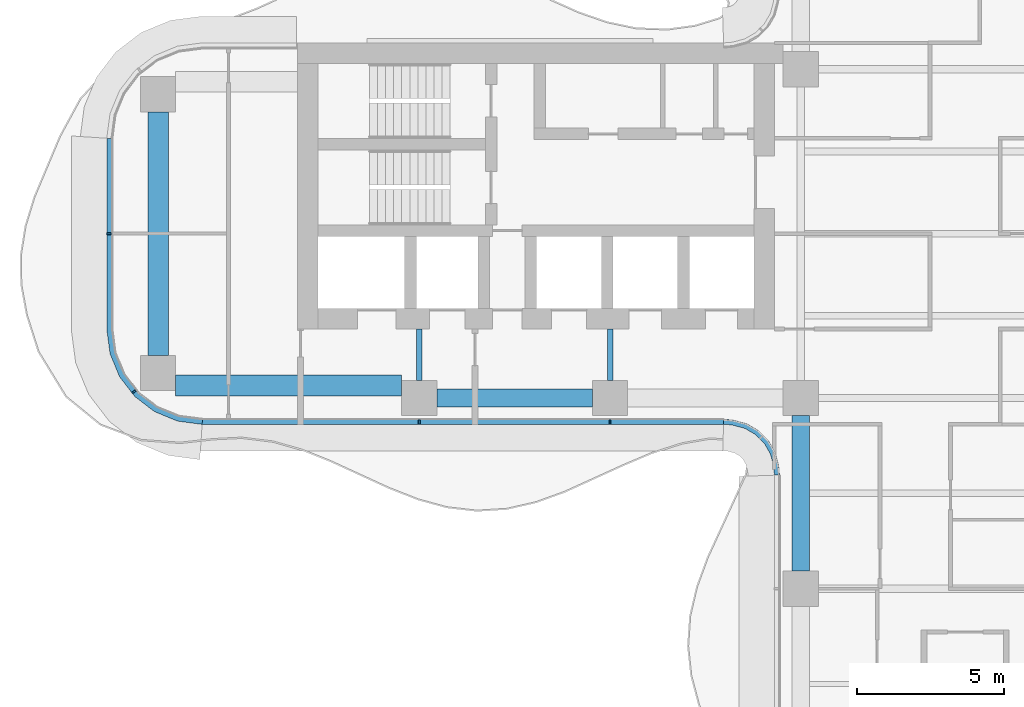
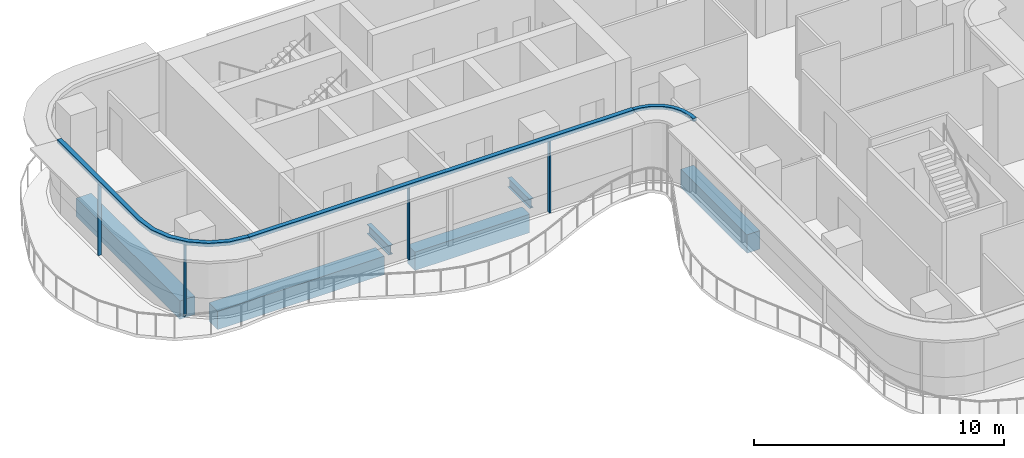
# One storey, part 3 of 18: 7 members, 6 beams, 3 elements without a shape of their own.
"""IFC4 building model written with IfcOpenShell, lengths in metres."""

from ifc_helpers import new_model, si_unit, direction, frame, origin, origin_2d, place, context, subcontext, project, spatial, polyline, rectangle, i_section, outline, extrude, source, transform, mapped, material, layer, layer_set, material_profile, profile_set, type_object, element, aggregate, save


model = new_model("IFC4")

# Units and contexts
model_context = context("Model", 3, precision=1e-05, world=origin(), true_north=direction((0.0, 1.0)))
body_context = subcontext(model_context, "Body", "Model", "MODEL_VIEW")
ifc_project = project(units=[si_unit("LENGTHUNIT", "METRE"), si_unit("AREAUNIT", "SQUARE_METRE"), si_unit("VOLUMEUNIT", "CUBIC_METRE"), si_unit("PLANEANGLEUNIT", "RADIAN"), si_unit("MASSUNIT", "GRAM", prefix="KILO")], contexts=[model_context])

# Site, building, storey
site_placement = place(None, origin())
site = spatial("IfcSite", under=ifc_project, at=site_placement, CompositionType="ELEMENT")
building_placement = place(site_placement, origin())
building = spatial("IfcBuilding", under=site, at=building_placement, Name="Trellis Farm Tower", CompositionType="ELEMENT")
storey_placement = place(building_placement, frame((0.0, 0.0, 189.300048828125)))
storey = spatial("IfcBuildingStorey", under=building, at=storey_placement, Name="L41", CompositionType="ELEMENT", Elevation=189.300048828125)

# Beams
ifc_material_1 = material(Name="Concrete C60/75", Category="concrete")
ifc_material_profile_1 = material_profile(ifc_material_1, rectangle(XDim=0.60009765625, YDim=0.89990234375, at=origin_2d()), Name="RC spandrel beam 600x900 C60/75")
ifc_profile_set_1 = profile_set([ifc_material_profile_1], Name="Concrete C60/75")
beam_type_1 = type_object("IfcBeamType", Name="RC spandrel beam 600x900 C60/75", PredefinedType="SPANDREL", material=ifc_profile_set_1)
shared_shape_1 = source(origin(), body_context, "Body", "SweptSolid", [
    extrude(rectangle(XDim=0.60009765625, YDim=0.89990234375, at=origin_2d()), origin(), (0.0, 0.0, 1.0), 5.300048828125),
])
for number, where, z_axis, x_axis, name in (
    (1, (-18.0, -5.60009765625, -0.650146484375), (1.0, 0.0, 0.0), (0.0, 1.0, 0.0), "Girder"),
    (2, (-5.60009765625, -11.5, -0.650146484375), (0.0, 1.0, 0.0), (-1.0, 0.0, 0.0), "Girder"),
):
    element("IfcBeam", number, at=place(storey_placement, frame(where, z_axis=z_axis, x_axis=x_axis)), inside=storey, type_object=beam_type_1, Name=name, PredefinedType="SPANDREL", context=body_context, shape_type="MappedRepresentation", body=[
        mapped(shared_shape_1, transform((0.0, 0.0, 0.0))),
    ])
ifc_material_profile_2 = material_profile(ifc_material_1, rectangle(XDim=0.699951171875, YDim=0.89990234375, at=origin_2d()), Name="RC spandrel beam 700x900 C60/75")
ifc_profile_set_2 = profile_set([ifc_material_profile_2], Name="Concrete C60/75")
beam_type_2 = type_object("IfcBeamType", Name="RC spandrel beam 700x900 C60/75", PredefinedType="SPANDREL", material=ifc_profile_set_2)
shared_shape_2 = source(origin(), body_context, "Body", "SweptSolid", [
    extrude(rectangle(XDim=0.699951171875, YDim=0.89990234375, at=origin_2d()), origin(), (0.0, 0.0, 1.0), 8.2998046875),
])
beam_1_placement = place(storey_placement, frame((-27.5, -4.14990234375, -0.650146484375), z_axis=(0.0, 1.0, 0.0), x_axis=(-1.0, 0.0, 0.0)))
element("IfcBeam", 3, at=beam_1_placement, inside=storey, type_object=beam_type_2, Name="Girder", PredefinedType="SPANDREL", context=body_context, shape_type="MappedRepresentation", body=[
    mapped(shared_shape_2, transform((0.0, 0.0, 0.0))),
])
ifc_material_2 = material(Name="Steel S355", Category="steel")
ifc_material_profile_3 = material_profile(ifc_material_2, i_section(OverallWidth=0.1904296875, OverallDepth=0.45703125, WebThickness=0.009033203125, FlangeThickness=0.014404296875, FilletRadius=0.01025390625, at=origin_2d()), Name="UB 457x191x74")
ifc_profile_set_3 = profile_set([ifc_material_profile_3], Name="Steel S355")
beam_type_3 = type_object("IfcBeamType", Name="UB 457x191x74", PredefinedType="BEAM", material=ifc_profile_set_3)
shared_shape_3 = source(origin(), body_context, "Body", "SweptSolid", [
    extrude(i_section(OverallWidth=0.1904296875, OverallDepth=0.45703125, WebThickness=0.009033203125, FlangeThickness=0.014404296875, FilletRadius=0.01025390625, at=origin_2d()), origin(), (0.0, 0.0, 1.0), 1.75),
])
for number, where, z_axis, x_axis, name in (
    (4, (-18.60009765625, -5.0, -0.428466796875), (0.0, 1.0, 0.0), (-1.0, 0.0, 0.0), "Girder"),
    (5, (-12.10009765625, -5.0, -0.428466796875), (0.0, 1.0, 0.0), (-1.0, 0.0, 0.0), "Girder"),
):
    element("IfcBeam", number, at=place(storey_placement, frame(where, z_axis=z_axis, x_axis=x_axis)), inside=storey, type_object=beam_type_3, Name=name, PredefinedType="BEAM", context=body_context, shape_type="MappedRepresentation", body=[
        mapped(shared_shape_3, transform((0.0, 0.0, 0.0))),
    ])
shared_shape_4 = source(origin(), body_context, "Body", "SweptSolid", [
    extrude(rectangle(XDim=0.699951171875, YDim=0.89990234375, at=origin_2d()), origin(), (0.0, 0.0, 1.0), 7.699951171875),
])
beam_2_placement = place(storey_placement, frame((-26.89990234375, -5.175048828125, -0.650146484375), z_axis=(1.0, 0.0, 0.0), x_axis=(0.0, 1.0, 0.0)))
element("IfcBeam", 6, at=beam_2_placement, inside=storey, type_object=beam_type_2, Name="Girder", PredefinedType="SPANDREL", context=body_context, shape_type="MappedRepresentation", body=[
    mapped(shared_shape_4, transform((0.0, 0.0, 0.0))),
])

# Curtain wall, member
ifc_material_3 = material(Name="Aluminium and glass curtain wall", Category="aluminium")
ifc_layer_1 = layer(ifc_material_3, 0.166015625)
ifc_layer_set_1 = layer_set([ifc_layer_1], Name="WINTER GARDEN CURTAIN WALL CW3")
curtain_wall_type_1 = type_object("IfcCurtainWallType", Name="WINTER GARDEN CURTAIN WALL CW3", PredefinedType="NOTDEFINED", material=ifc_layer_set_1)
placement_1 = place(storey_placement, origin())
curtain_wall_1 = element("IfcCurtainWall", 7, at=placement_1, inside=storey, type_object=curtain_wall_type_1, Name="CW3 001", PredefinedType="NOTDEFINED")
ifc_material_4 = material(Name="Aluminium extrusion 6063-T6", Category="aluminium")
ifc_layer_2 = layer(ifc_material_4, 0.169921875)
ifc_layer_set_2 = layer_set([ifc_layer_2], Name="Aluminium extrusion 6063-T6")
member_type_1 = type_object("IfcMemberType", Name="CW3 TRANSOM 170x150", PredefinedType="USERDEFINED", material=ifc_layer_set_2)
shared_shape_5 = source(origin(), body_context, "Body", "SweptSolid", [
    extrude(outline(polyline([(-8.2314453125, -6.5), (-8.01953125, -6.513916015625), (-7.91552734375, -6.527587890625), (-7.508544921875, -6.63671875), (-7.144287109375, -6.846923828125), (-6.846923828125, -7.144287109375), (-6.63671875, -7.508544921875), (-6.527587890625, -7.91552734375), (-6.513916015625, -8.01953125), (-6.5, -8.2314453125), (-6.330078125, -8.225830078125), (-6.3447265625, -8.0029296875), (-6.360595703125, -7.88232421875), (-6.478271484375, -7.44287109375), (-6.7109375, -7.0400390625), (-7.0400390625, -6.7109375), (-7.44287109375, -6.478271484375), (-7.88232421875, -6.360595703125), (-8.0029296875, -6.3447265625), (-8.225830078125, -6.330078125), (-8.2314453125, -6.5)])), origin(), (0.0, 0.0, 1.0), 0.14990234375),
])
member_1_placement = place(storey_placement, frame((0.0, 0.0, 3.550048828125)))
member_1 = element("IfcMember", 8, at=member_1_placement, type_object=member_type_1, Name="TR3 001", ObjectType="TRANSOM", PredefinedType="USERDEFINED", context=body_context, shape_type="MappedRepresentation", body=[
    mapped(shared_shape_5, transform((0.0, 0.0, 0.0))),
])
aggregate(curtain_wall_1, [member_1])

# Curtain wall, members
ifc_layer_3 = layer(ifc_material_3, 0.18994140625)
ifc_layer_set_3 = layer_set([ifc_layer_3], Name="RIBBON CURTAIN WALL CW1")
curtain_wall_type_2 = type_object("IfcCurtainWallType", Name="RIBBON CURTAIN WALL CW1", PredefinedType="NOTDEFINED", material=ifc_layer_set_3)
curtain_wall_2 = element("IfcCurtainWall", 9, at=placement_1, inside=storey, type_object=curtain_wall_type_2, Name="CW1 001", PredefinedType="NOTDEFINED")
ifc_material_profile_4 = material_profile(ifc_material_4, rectangle(XDim=0.06005859375, YDim=0.14990234375, at=origin_2d()), Name="MULLION 60x150")
ifc_profile_set_4 = profile_set([ifc_material_profile_4], Name="Aluminium extrusion 6063-T6")
member_type_2 = type_object("IfcMemberType", Name="CW1 MULLION 60x150", PredefinedType="MULLION", material=ifc_profile_set_4)
shared_shape_6 = source(origin(), body_context, "Body", "SweptSolid", [
    extrude(rectangle(XDim=0.06005859375, YDim=0.14990234375, at=origin_2d()), origin(), (0.0, 0.0, 1.0), 3.52001953125),
])
member_2_placement = place(storey_placement, frame((-18.60009765625, -6.425048828125, 0.0), z_axis=(0.0, 0.0, 1.0), x_axis=(1.0, 0.0, 0.0)))
member_2 = element("IfcMember", 10, at=member_2_placement, type_object=member_type_2, Name="MU1 001-01", PredefinedType="MULLION", context=body_context, shape_type="MappedRepresentation", body=[
    mapped(shared_shape_6, transform((0.0, 0.0, 0.0))),
])
member_3_placement = place(storey_placement, frame((-12.10009765625, -6.425048828125, 0.0), z_axis=(0.0, 0.0, 1.0), x_axis=(1.0, 0.0, 0.0)))
member_3 = element("IfcMember", 11, at=member_3_placement, type_object=member_type_2, Name="MU1 001-02", PredefinedType="MULLION", context=body_context, shape_type="MappedRepresentation", body=[
    mapped(shared_shape_6, transform((0.0, 0.0, 0.0))),
])

curtain_wall_3 = element("IfcCurtainWall", 12, at=placement_1, inside=storey, type_object=curtain_wall_type_2, Name="CW1 013", PredefinedType="NOTDEFINED")
member_4_placement = place(storey_placement, frame((-29.175048828125, 0.0, 0.0), z_axis=(0.0, 0.0, 1.0), x_axis=(0.0, -1.0, 0.0)))
member_4 = element("IfcMember", 13, at=member_4_placement, type_object=member_type_2, Name="MU1 013-01", PredefinedType="MULLION", context=body_context, shape_type="MappedRepresentation", body=[
    mapped(shared_shape_6, transform((0.0, 0.0, 0.0))),
])
member_5_placement = place(storey_placement, frame((-28.328369140625, -5.385498046875, 0.0), z_axis=(0.0, 0.0, 1.0), x_axis=(0.608761429009, -0.793353340291, 0.0)))
member_5 = element("IfcMember", 14, at=member_5_placement, type_object=member_type_2, Name="MU1 013-02", PredefinedType="MULLION", context=body_context, shape_type="MappedRepresentation", body=[
    mapped(shared_shape_6, transform((0.0, 0.0, 0.0))),
])

# Member
ifc_layer_4 = layer(ifc_material_4, 0.199951171875)
ifc_layer_set_4 = layer_set([ifc_layer_4], Name="Aluminium extrusion 6063-T6")
member_type_3 = type_object("IfcMemberType", Name="CW1 TRANSOM 200x180", PredefinedType="USERDEFINED", material=ifc_layer_set_4)
shared_shape_7 = source(origin(), body_context, "Body", "SweptSolid", [
    extrude(outline(polyline([(-26.0, -6.5), (-8.2314453125, -6.5), (-8.224853515625, -6.300048828125), (-25.98681640625, -6.300048828125), (-26.0, -6.5)])), origin(), (0.0, 0.0, 1.0), 0.179931640625),
])
placement_2 = place(storey_placement, frame((0.0, 0.0, 3.52001953125)))
member_6 = element("IfcMember", 15, at=placement_2, type_object=member_type_3, Name="TR1 001", ObjectType="TRANSOM", PredefinedType="USERDEFINED", context=body_context, shape_type="MappedRepresentation", body=[
    mapped(shared_shape_7, transform((0.0, 0.0, 0.0))),
])

aggregate(curtain_wall_2, [member_2, member_3, member_6])

shared_shape_8 = source(origin(), body_context, "Body", "SweptSolid", [
    extrude(outline(polyline([(-29.25, 3.25), (-29.25, -3.25), (-29.13916015625, -4.091064453125), (-28.814697265625, -4.875), (-28.298095703125, -5.548095703125), (-27.625, -6.064697265625), (-26.841064453125, -6.38916015625), (-26.0, -6.5), (-25.98681640625, -6.300048828125), (-26.7890625, -6.1943359375), (-27.524169921875, -5.889892578125), (-28.155517578125, -5.405517578125), (-28.639892578125, -4.774169921875), (-28.9443359375, -4.0390625), (-29.050048828125, -3.23681640625), (-29.050048828125, 3.23681640625), (-29.25, 3.25)])), origin(), (0.0, 0.0, 1.0), 0.179931640625),
])
member_7 = element("IfcMember", 16, at=placement_2, type_object=member_type_3, Name="TR1 013", ObjectType="TRANSOM", PredefinedType="USERDEFINED", context=body_context, shape_type="MappedRepresentation", body=[
    mapped(shared_shape_8, transform((0.0, 0.0, 0.0))),
])

aggregate(curtain_wall_3, [member_4, member_5, member_7])

save(model, "model.ifc")
